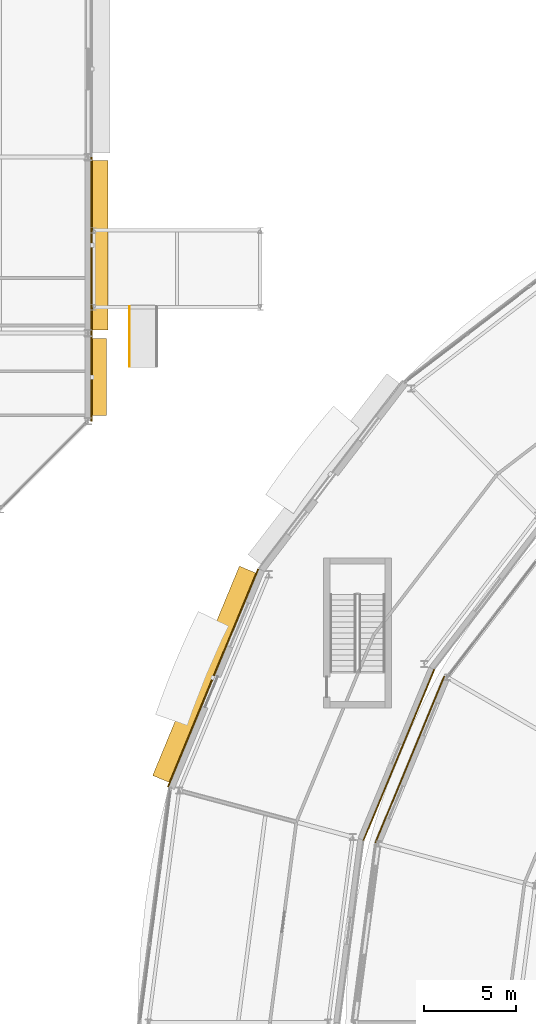
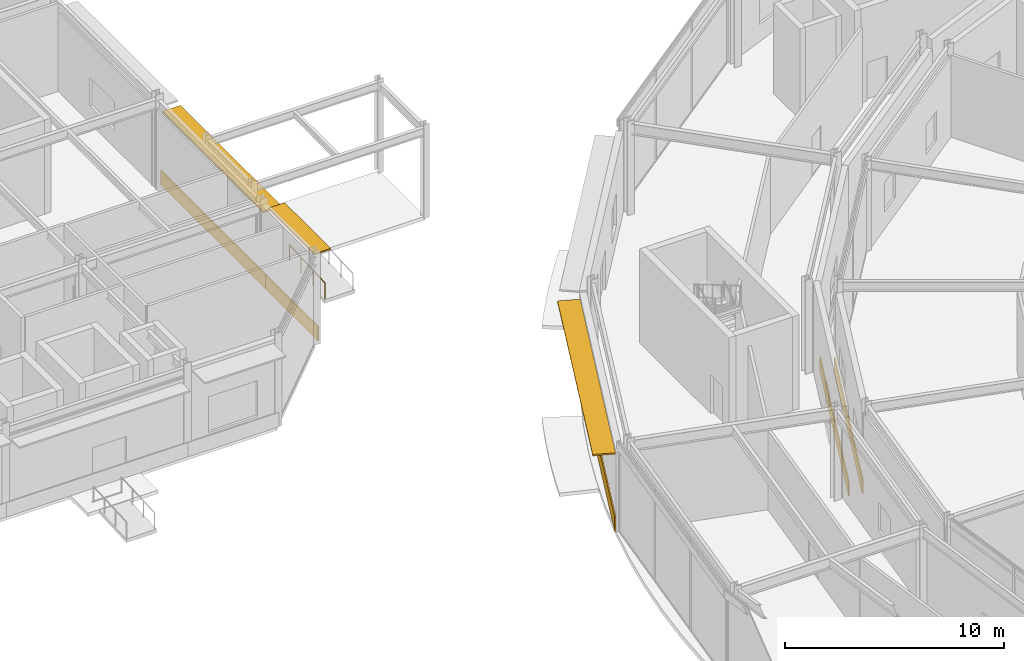
# One storey, part 153 of 168: 5 coverings, 3 shading devices, 1 railing.
"""IFC4 building model written with IfcOpenShell, lengths in metres."""

from ifc_helpers import new_model, si_unit, direction, frame, origin, origin_2d, place, context, subcontext, project, spatial, rectangle, circle, extrude, material, layer, layer_set, type_object, element, save


model = new_model("IFC4")

# Units and contexts
model_context = context("Model", 3, precision=1e-05, world=origin(), true_north=direction((0.0, 1.0)))
body_context = subcontext(model_context, "Body", "Model", "MODEL_VIEW")
ifc_project = project(units=[si_unit("LENGTHUNIT", "METRE"), si_unit("AREAUNIT", "SQUARE_METRE"), si_unit("VOLUMEUNIT", "CUBIC_METRE"), si_unit("PLANEANGLEUNIT", "RADIAN"), si_unit("MASSUNIT", "GRAM", prefix="KILO")], contexts=[model_context])

# Site, building, storey
site_placement = place(None, origin())
site = spatial("IfcSite", under=ifc_project, at=site_placement, CompositionType="ELEMENT")
building_placement = place(site_placement, origin())
building = spatial("IfcBuilding", under=site, at=building_placement, Name="Almandine Court Research Institute", CompositionType="ELEMENT")
storey_placement = place(building_placement, origin())
storey = spatial("IfcBuildingStorey", under=building, at=storey_placement, Name="L00", CompositionType="ELEMENT", Elevation=0.0)

# Coverings
ifc_material_1 = material(Name="Honed Andean Red-Buff Sandstone Cladding", Category="masonry")
ifc_layer_1 = layer(ifc_material_1, 0.06494140625)
ifc_layer_set_1 = layer_set([ifc_layer_1], Name="Honed Andean Red-Buff Sandstone Cladding")
covering_type = type_object("IfcCoveringType", Name="Cov-CLAD-SAND", PredefinedType="CLADDING", material=ifc_layer_set_1)
covering_1_placement = place(storey_placement, frame((34.992919921875, 91.199951171875, 0.02001953125), z_axis=(0.0, 0.0, 1.0), x_axis=(0.0, -1.0, 0.0)))
element("IfcCovering", 1, at=covering_1_placement, inside=storey, type_object=covering_type, Name="L00 Facade Spandrel Cladding Band 40", PredefinedType="CLADDING", context=body_context, shape_type="SweptSolid", body=[
    extrude(rectangle(XDim=4.7919921875, YDim=0.06494140625, at=origin_2d()), origin(), (0.0, 0.0, 1.0), 0.800048828125),
])
covering_2_placement = place(storey_placement, frame((34.992919921875, 98.39990234375, 0.02001953125), z_axis=(0.0, 0.0, 1.0), x_axis=(0.0, -1.0, 0.0)))
element("IfcCovering", 2, at=covering_2_placement, inside=storey, type_object=covering_type, Name="L00 Facade Spandrel Cladding Band 41", PredefinedType="CLADDING", context=body_context, shape_type="SweptSolid", body=[
    extrude(rectangle(XDim=9.592041015625, YDim=0.06494140625, at=origin_2d()), origin(), (0.0, 0.0, 1.0), 0.800048828125),
])
covering_3_placement = place(storey_placement, frame((41.6201171875, 74.797119140625, 0.02001953125), z_axis=(0.0, 0.0, 1.0), x_axis=(0.382683432365, 0.923879532511, 0.0)))
element("IfcCovering", 3, at=covering_3_placement, inside=storey, type_object=covering_type, Name="L00 Facade Spandrel Cladding Band 280", PredefinedType="CLADDING", context=body_context, shape_type="SweptSolid", body=[
    extrude(rectangle(XDim=12.868896484375, YDim=0.06494140625, at=origin_2d()), origin(), (0.0, 0.0, 1.0), 0.800048828125),
])
covering_4_placement = place(storey_placement, frame((51.75, 70.60107421875, 0.02001953125), z_axis=(0.0, 0.0, 1.0), x_axis=(-0.382683432365, -0.923879532511, 0.0)))
element("IfcCovering", 4, at=covering_4_placement, inside=storey, type_object=covering_type, Name="L00 Facade Spandrel Cladding Band 281", PredefinedType="CLADDING", context=body_context, shape_type="SweptSolid", body=[
    extrude(rectangle(XDim=10.080078125, YDim=0.06494140625, at=origin_2d()), origin(), (0.0, 0.0, 1.0), 0.800048828125),
])
covering_5_placement = place(storey_placement, frame((52.35107421875, 70.35205078125, 0.02001953125), z_axis=(0.0, 0.0, 1.0), x_axis=(0.382683432365, 0.923879532511, 0.0)))
element("IfcCovering", 5, at=covering_5_placement, inside=storey, type_object=covering_type, Name="L00 Facade Spandrel Cladding Band 432", PredefinedType="CLADDING", context=body_context, shape_type="SweptSolid", body=[
    extrude(rectangle(XDim=9.821044921875, YDim=0.06494140625, at=origin_2d()), origin(), (0.0, 0.0, 1.0), 0.800048828125),
])

# Railing
ifc_material_2 = material(Name="Brushed Stainless Steel Exterior Ramp Handrail", Category="steel")
railing_type = type_object("IfcRailingType", Name="Rail-HAND-EXT", PredefinedType="HANDRAIL", material=ifc_material_2)
railing_placement = place(storey_placement, frame((37.06005859375, 91.800048828125, -0.14990234375)))
element("IfcRailing", 6, at=railing_placement, inside=storey, type_object=railing_type, Name="Northwest Dalan Courtyard Accessible Ramp Handrail L", PredefinedType="HANDRAIL", context=body_context, shape_type="SweptSolid", body=[
    extrude(circle(Radius=0.02392578125, at=origin_2d()), frame((0.0, 0.0, 0.8759765625), z_axis=(0.0, 0.998937991816, 0.046074814226), x_axis=(-1.0, 0.0, 0.0)), (0.0, 0.0, 1.0), 3.25341796875),
    extrude(circle(Radius=0.02099609375, at=origin_2d()), origin(), (0.0, 0.0, 1.0), 0.851806640625),
    extrude(circle(Radius=0.02099609375, at=origin_2d()), frame((0.0, 1.083251953125, 0.050048828125)), (0.0, 0.0, 1.0), 0.851806640625),
    extrude(circle(Radius=0.02099609375, at=origin_2d()), frame((0.0, 2.166748046875, 0.099853515625)), (0.0, 0.0, 1.0), 0.851806640625),
    extrude(circle(Radius=0.02099609375, at=origin_2d()), frame((0.0, 3.25, 0.14990234375)), (0.0, 0.0, 1.0), 0.851806640625),
])

# Shading devices
ifc_material_3 = material(Name="Precast GFRC Chhajja Sunshade and Acoustic Louvre", Category="concrete")
ifc_layer_2 = layer(ifc_material_3, 0.080078125)
ifc_layer_set_2 = layer_set([ifc_layer_2], Name="Precast GFRC Chhajja Sunshade and Acoustic Louvre")
shading_device_type_1 = type_object("IfcShadingDeviceType", Name="Shd-SD-10", PredefinedType="AWNING", material=ifc_layer_set_2)
shading_device_1_placement = place(storey_placement, frame((35.376953125, 91.199951171875, 4.64990234375), z_axis=(0.0, 0.0, 1.0), x_axis=(0.0, -1.0, 0.0)))
element("IfcShadingDevice", 7, at=shading_device_1_placement, inside=storey, type_object=shading_device_type_1, Name="L00 Projecting Chhajja Sunshade 15", PredefinedType="AWNING", context=body_context, shape_type="SweptSolid", body=[
    extrude(rectangle(XDim=4.201904296875, YDim=0.85009765625, at=origin_2d()), origin(), (0.0, 0.0, 1.0), 0.080078125),
])
ifc_layer_3 = layer(ifc_material_3, 0.080078125)
ifc_layer_set_3 = layer_set([ifc_layer_3], Name="Precast GFRC Chhajja Sunshade and Acoustic Louvre")
shading_device_type_2 = type_object("IfcShadingDeviceType", Name="Shd-SD-11", PredefinedType="AWNING", material=ifc_layer_set_3)
shading_device_2_placement = place(storey_placement, frame((35.427001953125, 98.39990234375, 4.1640625), z_axis=(0.0, 0.0, 1.0), x_axis=(0.0, -1.0, 0.0)))
element("IfcShadingDevice", 8, at=shading_device_2_placement, inside=storey, type_object=shading_device_type_2, Name="L00 Projecting Chhajja Sunshade 16", PredefinedType="AWNING", context=body_context, shape_type="SweptSolid", body=[
    extrude(rectangle(XDim=9.241943359375, YDim=0.949951171875, at=origin_2d()), origin(), (0.0, 0.0, 1.0), 0.080078125),
])
ifc_layer_4 = layer(ifc_material_3, 0.080078125)
ifc_layer_set_4 = layer_set([ifc_layer_4], Name="Precast GFRC Chhajja Sunshade and Acoustic Louvre")
shading_device_type_3 = type_object("IfcShadingDeviceType", Name="Shd-SD-85", PredefinedType="AWNING", material=ifc_layer_set_4)
shading_device_3_placement = place(storey_placement, frame((41.173095703125, 74.98291015625, 4.153076171875), z_axis=(0.0, 0.0, 1.0), x_axis=(0.382683432365, 0.923879532511, 0.0)))
element("IfcShadingDevice", 9, at=shading_device_3_placement, inside=storey, type_object=shading_device_type_3, Name="L00 Projecting Chhajja Sunshade 182", PredefinedType="AWNING", context=body_context, shape_type="SweptSolid", body=[
    extrude(rectangle(XDim=12.35888671875, YDim=1.050048828125, at=origin_2d()), origin(), (0.0, 0.0, 1.0), 0.080078125),
])

save(model, "model.ifc")
